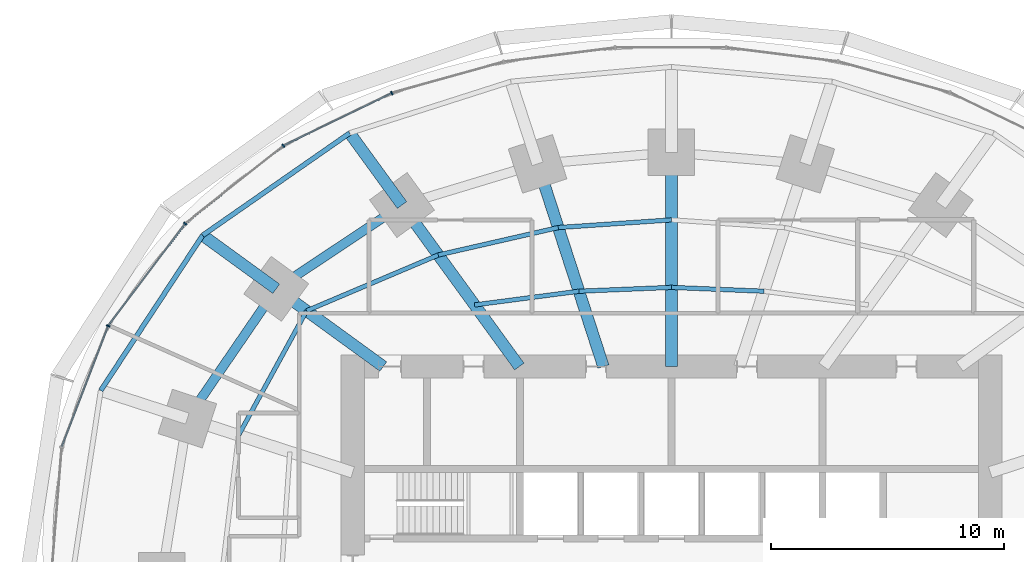
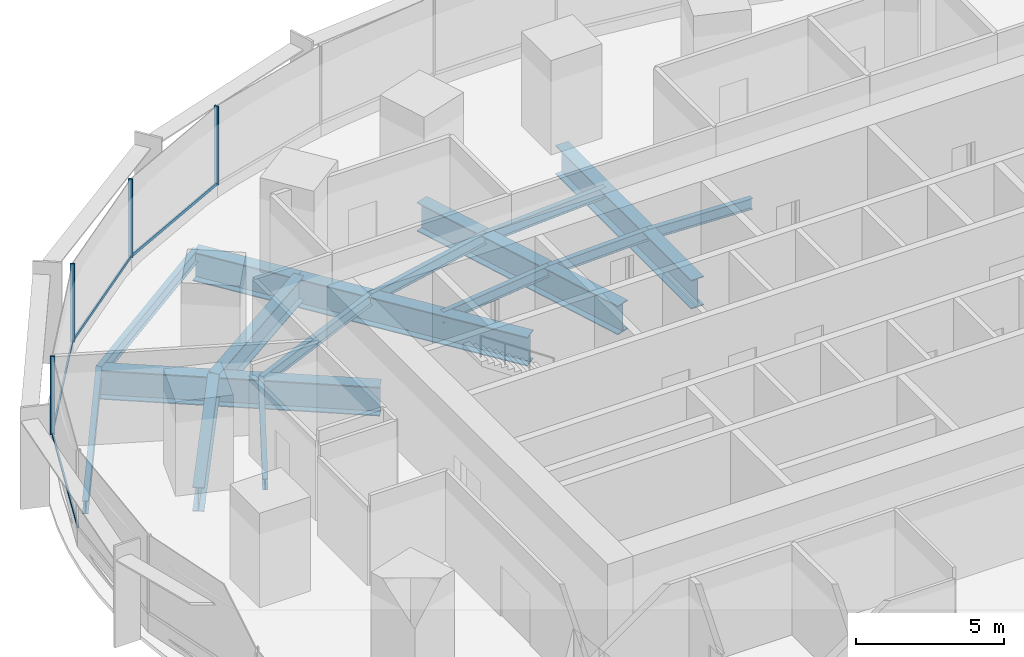
# One storey, part 7 of 15: 17 beams, 8 members, 1 element without a shape of its own.
"""IFC4 building model written with IfcOpenShell, lengths in metres."""

from ifc_helpers import new_model, si_unit, direction, frame, origin, origin_2d, place, context, subcontext, project, spatial, rectangle, i_section, extrude, material, material_profile, profile_set, type_object, element, aggregate, save


model = new_model("IFC4")

# Units and contexts
model_context = context("Model", 3, precision=1e-05, world=origin(), true_north=direction((0.0, 1.0)))
body_context = subcontext(model_context, "Body", "Model", "MODEL_VIEW")
ifc_project = project(units=[si_unit("LENGTHUNIT", "METRE"), si_unit("AREAUNIT", "SQUARE_METRE"), si_unit("VOLUMEUNIT", "CUBIC_METRE"), si_unit("PLANEANGLEUNIT", "RADIAN"), si_unit("MASSUNIT", "GRAM", prefix="KILO")], contexts=[model_context])

# Site, building, storey
site_placement = place(None, origin())
site = spatial("IfcSite", under=ifc_project, at=site_placement, CompositionType="ELEMENT")
building_placement = place(site_placement, origin())
building = spatial("IfcBuilding", under=site, at=building_placement, Name="Marramba Exchange Tower", CompositionType="ELEMENT")
storey_placement = place(building_placement, frame((0.0, 0.0, 32.199951171875)))
storey = spatial("IfcBuildingStorey", under=building, at=storey_placement, Name="L07", CompositionType="ELEMENT", Elevation=32.199951171875)

# Beams
ifc_material_1 = material(Name="Steel AS/NZS 3679.2 grade 300", Category="steel")
ifc_material_profile_1 = material_profile(ifc_material_1, i_section(OverallWidth=0.5, OverallDepth=1.199951171875, WebThickness=0.01611328125, FlangeThickness=0.0400390625, at=origin_2d()), Name="1200WB455")
ifc_profile_set_1 = profile_set([ifc_material_profile_1], Name="Steel AS/NZS 3679.2 grade 300")
beam_type_1 = type_object("IfcBeamType", Name="Cantilever girder 1200WB455", PredefinedType="BEAM", material=ifc_profile_set_1)
beam_1_placement = place(storey_placement, frame((-11.581298828125, 15.9404296875, -0.760009765625), z_axis=(-0.587795827483, 0.809009310944, 0.0), x_axis=(-0.809009310944, -0.587795827483, 0.0)))
element("IfcBeam", 1, at=beam_1_placement, inside=storey, type_object=beam_type_1, Name="Cantilever girder L07 TC08", PredefinedType="BEAM", context=body_context, shape_type="SweptSolid", body=[
    extrude(i_section(OverallWidth=0.5, OverallDepth=1.199951171875, WebThickness=0.01611328125, FlangeThickness=0.0400390625, at=origin_2d()), origin(), (0.0, 0.0, 1.0), 3.82421875),
])
beam_2_placement = place(storey_placement, frame((-16.98583984375, 12.3408203125, -0.760009765625), z_axis=(-0.808987260856, 0.587826174793, 0.0), x_axis=(-0.587826174793, -0.808987260856, 0.0)))
element("IfcBeam", 2, at=beam_2_placement, inside=storey, type_object=beam_type_1, Name="Cantilever girder L07 TC09", PredefinedType="BEAM", context=body_context, shape_type="SweptSolid", body=[
    extrude(i_section(OverallWidth=0.5, OverallDepth=1.199951171875, WebThickness=0.01611328125, FlangeThickness=0.0400390625, at=origin_2d()), origin(), (0.0, 0.0, 1.0), 3.90771484375),
])
ifc_material_2 = material(Name="Steel AS/NZS 3679.1 grade 300", Category="steel")
ifc_material_profile_2 = material_profile(ifc_material_2, i_section(OverallWidth=0.18994140625, OverallDepth=0.4541015625, WebThickness=0.008544921875, FlangeThickness=0.0126953125, FilletRadius=0.011474609375, at=origin_2d()), Name="460UB67.1")
ifc_profile_set_2 = profile_set([ifc_material_profile_2], Name="Steel AS/NZS 3679.1 grade 300")
beam_type_2 = type_object("IfcBeamType", Name="Floor joist 460UB67.1", PredefinedType="JOIST", material=ifc_profile_set_2)
for number, where, z_axis, x_axis, name in (
    (3, (3.975830078125, 12.236083984375, -0.386962890625), (-0.999137002892, 0.041536122257, 0.0), (-0.041536122257, -0.999137002892, 0.0), "Joist L07 bay 05 row 1"),
    (4, (0.0, 12.4013671875, -0.386962890625), (-0.999137002892, -0.041536122257, 0.0), (0.041536122257, -0.999137002892, 0.0), "Joist L07 bay 06 row 1"),
):
    element("IfcBeam", number, at=place(storey_placement, frame(where, z_axis=z_axis, x_axis=x_axis)), inside=storey, type_object=beam_type_2, Name=name, PredefinedType="JOIST", context=body_context, shape_type="SweptSolid", body=[
        extrude(i_section(OverallWidth=0.18994140625, OverallDepth=0.4541015625, WebThickness=0.008544921875, FlangeThickness=0.0126953125, FilletRadius=0.011474609375, at=origin_2d()), origin(), (0.0, 0.0, 1.0), 3.979248046875),
    ])
beam_3_placement = place(storey_placement, frame((0.0, 15.302734375, -0.386962890625), z_axis=(-0.997702652202, -0.067745241816, 0.0), x_axis=(0.067745241816, -0.997702652202, 0.0)))
element("IfcBeam", 5, at=beam_3_placement, inside=storey, type_object=beam_type_2, Name="Joist L07 bay 06 row 2", PredefinedType="JOIST", context=body_context, shape_type="SweptSolid", body=[
    extrude(i_section(OverallWidth=0.18994140625, OverallDepth=0.4541015625, WebThickness=0.008544921875, FlangeThickness=0.0126953125, FilletRadius=0.011474609375, at=origin_2d()), origin(), (0.0, 0.0, 1.0), 4.8759765625),
])
beam_4_placement = place(storey_placement, frame((-3.975830078125, 12.236083984375, -0.386962890625), z_axis=(-0.991480538255, -0.130254912618, 0.0), x_axis=(0.130254912618, -0.991480538255, 0.0)))
element("IfcBeam", 6, at=beam_4_placement, inside=storey, type_object=beam_type_2, Name="Joist L07 bay 07 row 1", PredefinedType="JOIST", context=body_context, shape_type="SweptSolid", body=[
    extrude(i_section(OverallWidth=0.18994140625, OverallDepth=0.4541015625, WebThickness=0.008544921875, FlangeThickness=0.0126953125, FilletRadius=0.011474609375, at=origin_2d()), origin(), (0.0, 0.0, 1.0), 4.524658203125),
])
beam_5_placement = place(storey_placement, frame((-4.86474609375, 14.972412109375, -0.386962890625), z_axis=(-0.974859652292, -0.222819788916, 0.0), x_axis=(0.222819788916, -0.974859652292, 0.0)))
element("IfcBeam", 7, at=beam_5_placement, inside=storey, type_object=beam_type_2, Name="Joist L07 bay 07 row 2", PredefinedType="JOIST", context=body_context, shape_type="SweptSolid", body=[
    extrude(i_section(OverallWidth=0.18994140625, OverallDepth=0.4541015625, WebThickness=0.008544921875, FlangeThickness=0.0126953125, FilletRadius=0.011474609375, at=origin_2d()), origin(), (0.0, 0.0, 1.0), 5.2900390625),
])
beam_6_placement = place(storey_placement, frame((-10.021728515625, 13.793701171875, -0.386962890625), z_axis=(-0.920674336375, -0.390331610738, 0.0), x_axis=(0.390331610738, -0.920674336375, 0.0)))
element("IfcBeam", 8, at=beam_6_placement, inside=storey, type_object=beam_type_2, Name="Joist L07 bay 08 row 2", PredefinedType="JOIST", context=body_context, shape_type="SweptSolid", body=[
    extrude(i_section(OverallWidth=0.18994140625, OverallDepth=0.4541015625, WebThickness=0.008544921875, FlangeThickness=0.0126953125, FilletRadius=0.011474609375, at=origin_2d()), origin(), (0.0, 0.0, 1.0), 6.1484375),
])
beam_7_placement = place(storey_placement, frame((-15.682373046875, 11.393798828125, -0.386962890625), z_axis=(-0.479584443791, -0.877495732909, 0.0), x_axis=(0.877495732909, -0.479584443791, 0.0)))
element("IfcBeam", 9, at=beam_7_placement, inside=storey, type_object=beam_type_2, Name="Joist L07 bay 09 row 2", PredefinedType="JOIST", context=body_context, shape_type="SweptSolid", body=[
    extrude(i_section(OverallWidth=0.18994140625, OverallDepth=0.4541015625, WebThickness=0.008544921875, FlangeThickness=0.0126953125, FilletRadius=0.011474609375, at=origin_2d()), origin(), (0.0, 0.0, 1.0), 6.094970703125),
])
ifc_material_profile_3 = material_profile(ifc_material_1, i_section(OverallWidth=0.5, OverallDepth=1.199951171875, WebThickness=0.01611328125, FlangeThickness=0.0400390625, at=origin_2d()), Name="1200WB455")
ifc_profile_set_3 = profile_set([ifc_material_profile_3], Name="Steel AS/NZS 3679.2 grade 300")
beam_type_3 = type_object("IfcBeamType", Name="Radial girder 1200WB455", PredefinedType="BEAM", material=ifc_profile_set_3)
beam_8_placement = place(storey_placement, frame((0.0, 9.0, -0.760009765625), z_axis=(0.0, 1.0, 0.0), x_axis=(-1.0, 0.0, 0.0)))
element("IfcBeam", 10, at=beam_8_placement, inside=storey, type_object=beam_type_3, Name="Radial girder L07 TC06", PredefinedType="BEAM", context=body_context, shape_type="SweptSolid", body=[
    extrude(i_section(OverallWidth=0.5, OverallDepth=1.199951171875, WebThickness=0.01611328125, FlangeThickness=0.0400390625, at=origin_2d()), origin(), (0.0, 0.0, 1.0), 9.2041015625),
])
beam_9_placement = place(storey_placement, frame((-2.92431640625, 9.0, -0.760009765625), z_axis=(-0.309019754162, 0.951055619582, 0.0), x_axis=(-0.951055619582, -0.309019754162, 0.0)))
element("IfcBeam", 11, at=beam_9_placement, inside=storey, type_object=beam_type_3, Name="Radial girder L07 TC07", PredefinedType="BEAM", context=body_context, shape_type="SweptSolid", body=[
    extrude(i_section(OverallWidth=0.5, OverallDepth=1.199951171875, WebThickness=0.01611328125, FlangeThickness=0.0400390625, at=origin_2d()), origin(), (0.0, 0.0, 1.0), 9.15673828125),
])
beam_10_placement = place(storey_placement, frame((-6.538818359375, 9.0, -0.760009765625), z_axis=(-0.587782439969, 0.80901903764, 0.0), x_axis=(-0.80901903764, -0.587782439969, 0.0)))
element("IfcBeam", 12, at=beam_10_placement, inside=storey, type_object=beam_type_3, Name="Radial girder L07 TC08", PredefinedType="BEAM", context=body_context, shape_type="SweptSolid", body=[
    extrude(i_section(OverallWidth=0.5, OverallDepth=1.199951171875, WebThickness=0.01611328125, FlangeThickness=0.0400390625, at=origin_2d()), origin(), (0.0, 0.0, 1.0), 8.578857421875),
])
beam_11_placement = place(storey_placement, frame((-12.387451171875, 9.0, -0.760009765625), z_axis=(-0.809025746925, 0.587773205252, 0.0), x_axis=(-0.587773205252, -0.809025746925, 0.0)))
element("IfcBeam", 13, at=beam_11_placement, inside=storey, type_object=beam_type_3, Name="Radial girder L07 TC09", PredefinedType="BEAM", context=body_context, shape_type="SweptSolid", body=[
    extrude(i_section(OverallWidth=0.5, OverallDepth=1.199951171875, WebThickness=0.01611328125, FlangeThickness=0.0400390625, at=origin_2d()), origin(), (0.0, 0.0, 1.0), 5.683837890625),
])
ifc_material_profile_4 = material_profile(ifc_material_1, i_section(OverallWidth=0.39990234375, OverallDepth=1.0, WebThickness=0.01611328125, FlangeThickness=0.031982421875, at=origin_2d()), Name="1000WB322")
ifc_profile_set_4 = profile_set([ifc_material_profile_4], Name="Steel AS/NZS 3679.2 grade 300")
beam_type_4 = type_object("IfcBeamType", Name="Ring beam 1000WB322", PredefinedType="SPANDREL", material=ifc_profile_set_4)
beam_12_placement = place(storey_placement, frame((-11.581298828125, 15.9404296875, -0.659912109375), z_axis=(-0.832293151443, -0.554335737673, 0.0), x_axis=(0.554335737673, -0.832293151443, 0.0)))
element("IfcBeam", 14, at=beam_12_placement, inside=storey, type_object=beam_type_4, Name="Ring beam L07 TC08-TC09", PredefinedType="SPANDREL", context=body_context, shape_type="SweptSolid", body=[
    extrude(i_section(OverallWidth=0.39990234375, OverallDepth=1.0, WebThickness=0.01611328125, FlangeThickness=0.031982421875, at=origin_2d()), origin(), (0.0, 0.0, 1.0), 6.49365234375),
])
beam_13_placement = place(storey_placement, frame((-16.98583984375, 12.3408203125, -0.659912109375), z_axis=(-0.56516002054, -0.824981303535, 0.0), x_axis=(0.824981303535, -0.56516002054, 0.0)))
element("IfcBeam", 15, at=beam_13_placement, inside=storey, type_object=beam_type_4, Name="Ring beam L07 TC09-TC10", PredefinedType="SPANDREL", context=body_context, shape_type="SweptSolid", body=[
    extrude(i_section(OverallWidth=0.39990234375, OverallDepth=1.0, WebThickness=0.01611328125, FlangeThickness=0.031982421875, at=origin_2d()), origin(), (0.0, 0.0, 1.0), 6.763671875),
])
ifc_material_profile_5 = material_profile(ifc_material_2, i_section(OverallWidth=0.208984375, OverallDepth=0.528076171875, WebThickness=0.009521484375, FlangeThickness=0.01318359375, FilletRadius=0.013916015625, at=origin_2d()), Name="530UB82.0")
ifc_profile_set_5 = profile_set([ifc_material_profile_5], Name="Steel AS/NZS 3679.1 grade 300")
beam_type_5 = type_object("IfcBeamType", Name="Slab edge beam 530UB82.0", PredefinedType="SPANDREL", material=ifc_profile_set_5)
beam_14_placement = place(storey_placement, frame((-13.8291015625, 19.0341796875, -0.424072265625), z_axis=(-0.820842487183, -0.571154629882, 0.0), x_axis=(0.571154629882, -0.820842487183, 0.0)))
element("IfcBeam", 16, at=beam_14_placement, inside=storey, type_object=beam_type_5, Name="Slab edge beam L07 TC08-TC09", PredefinedType="SPANDREL", context=body_context, shape_type="SweptSolid", body=[
    extrude(i_section(OverallWidth=0.208984375, OverallDepth=0.528076171875, WebThickness=0.009521484375, FlangeThickness=0.01318359375, FilletRadius=0.013916015625, at=origin_2d()), origin(), (0.0, 0.0, 1.0), 7.697021484375),
])
beam_15_placement = place(storey_placement, frame((-20.147216796875, 14.637939453125, -0.424072265625), z_axis=(-0.549123544095, -0.835741188001, 0.0), x_axis=(0.835741188001, -0.549123544095, 0.0)))
element("IfcBeam", 17, at=beam_15_placement, inside=storey, type_object=beam_type_5, Name="Slab edge beam L07 TC09-TC10", PredefinedType="SPANDREL", context=body_context, shape_type="SweptSolid", body=[
    extrude(i_section(OverallWidth=0.208984375, OverallDepth=0.528076171875, WebThickness=0.009521484375, FlangeThickness=0.01318359375, FilletRadius=0.013916015625, at=origin_2d()), origin(), (0.0, 0.0, 1.0), 7.978759765625),
])

# Curtain wall, members
ifc_material_3 = material(Name="Aluminium framing, bronze anodised", Category="aluminium")
curtain_wall_type = type_object("IfcCurtainWallType", Name="Trading floor ribbon curtain wall", PredefinedType="USERDEFINED", material=ifc_material_3)
curtain_wall_placement = place(storey_placement, origin())
curtain_wall = element("IfcCurtainWall", 18, at=curtain_wall_placement, inside=storey, type_object=curtain_wall_type, Name="Curtain wall CW3 L07 F11-F15", ObjectType="RIBBON CURTAIN WALL", PredefinedType="USERDEFINED")
ifc_material_4 = material(Name="Aluminium mullion, bronze anodised", Category="aluminium")
ifc_material_profile_6 = material_profile(ifc_material_4, rectangle(XDim=0.159912109375, YDim=0.06005859375, at=origin_2d()), Name="CW3 mullion 60x160")
ifc_profile_set_6 = profile_set([ifc_material_profile_6], Name="Aluminium mullion, bronze anodised")
member_type_1 = type_object("IfcMemberType", Name="Trading floor ribbon curtain wall mullion", PredefinedType="MULLION", material=ifc_profile_set_6)
member_1_placement = place(storey_placement, frame((-12.016357421875, 20.7529296875, 0.800048828125), z_axis=(0.0, 0.0, 1.0), x_axis=(0.43596538664, -0.899963433508, 0.0)))
member_1 = element("IfcMember", 19, at=member_1_placement, type_object=member_type_1, Name="CW3 mullion 1", PredefinedType="MULLION", context=body_context, shape_type="SweptSolid", body=[
    extrude(rectangle(XDim=0.159912109375, YDim=0.06005859375, at=origin_2d()), origin(), (0.0, 0.0, 1.0), 3.239990234375),
])
member_2_placement = place(storey_placement, frame((-16.683837890625, 18.484619140625, 0.800048828125), z_axis=(0.0, 0.0, 1.0), x_axis=(0.620649730166, -0.784087949432, 0.0)))
member_2 = element("IfcMember", 20, at=member_2_placement, type_object=member_type_1, Name="CW3 mullion 1", PredefinedType="MULLION", context=body_context, shape_type="SweptSolid", body=[
    extrude(rectangle(XDim=0.159912109375, YDim=0.06005859375, at=origin_2d()), origin(), (0.0, 0.0, 1.0), 3.239990234375),
])
member_3_placement = place(storey_placement, frame((-20.8935546875, 15.142822265625, 0.800048828125), z_axis=(0.0, 0.0, 1.0), x_axis=(0.797748922445, -0.602989765036, 0.0)))
member_3 = element("IfcMember", 21, at=member_3_placement, type_object=member_type_1, Name="CW3 mullion 1", PredefinedType="MULLION", context=body_context, shape_type="SweptSolid", body=[
    extrude(rectangle(XDim=0.159912109375, YDim=0.06005859375, at=origin_2d()), origin(), (0.0, 0.0, 1.0), 3.239990234375),
])
member_4_placement = place(storey_placement, frame((-24.207275390625, 10.7451171875, 0.800048828125), z_axis=(0.0, 0.0, 1.0), x_axis=(0.933135256626, -0.359525510698, 0.0)))
member_4 = element("IfcMember", 22, at=member_4_placement, type_object=member_type_1, Name="CW3 mullion 1", PredefinedType="MULLION", context=body_context, shape_type="SweptSolid", body=[
    extrude(rectangle(XDim=0.159912109375, YDim=0.06005859375, at=origin_2d()), origin(), (0.0, 0.0, 1.0), 3.239990234375),
])
ifc_material_5 = material(Name="Aluminium transom, bronze anodised", Category="aluminium")
ifc_material_profile_7 = material_profile(ifc_material_5, rectangle(XDim=0.06005859375, YDim=0.1201171875, at=origin_2d()), Name="CW3 transom 60x120")
ifc_profile_set_7 = profile_set([ifc_material_profile_7], Name="Aluminium transom, bronze anodised")
member_type_2 = type_object("IfcMemberType", Name="Trading floor ribbon curtain wall transom", PredefinedType="USERDEFINED", material=ifc_profile_set_7)
member_5_placement = place(storey_placement, frame((-12.043212890625, 20.739990234375, 0.830078125), z_axis=(-0.89995331781, -0.43598626786, 0.0), x_axis=(0.43598626786, -0.89995331781, 0.0)))
member_5 = element("IfcMember", 23, at=member_5_placement, type_object=member_type_2, Name="CW3 sill transom", ObjectType="TRANSOM", PredefinedType="USERDEFINED", context=body_context, shape_type="SweptSolid", body=[
    extrude(rectangle(XDim=0.06005859375, YDim=0.1201171875, at=origin_2d()), origin(), (0.0, 0.0, 1.0), 5.13037109375),
])
member_6_placement = place(storey_placement, frame((-16.70751953125, 18.466064453125, 0.830078125), z_axis=(-0.784075625018, -0.620665299701, 0.0), x_axis=(0.620665299701, -0.784075625018, 0.0)))
member_6 = element("IfcMember", 24, at=member_6_placement, type_object=member_type_2, Name="CW3 sill transom", ObjectType="TRANSOM", PredefinedType="USERDEFINED", context=body_context, shape_type="SweptSolid", body=[
    extrude(rectangle(XDim=0.06005859375, YDim=0.1201171875, at=origin_2d()), origin(), (0.0, 0.0, 1.0), 5.315673828125),
])
member_7_placement = place(storey_placement, frame((-20.91162109375, 15.118896484375, 0.830078125), z_axis=(-0.602985866158, -0.797751869452, 0.0), x_axis=(0.797751869452, -0.602985866158, 0.0)))
member_7 = element("IfcMember", 25, at=member_7_placement, type_object=member_type_2, Name="CW3 sill transom", ObjectType="TRANSOM", PredefinedType="USERDEFINED", context=body_context, shape_type="SweptSolid", body=[
    extrude(rectangle(XDim=0.06005859375, YDim=0.1201171875, at=origin_2d()), origin(), (0.0, 0.0, 1.0), 5.44775390625),
])
member_8_placement = place(storey_placement, frame((-24.218017578125, 10.717041015625, 0.830078125), z_axis=(-0.359533581349, -0.933132147063, 0.0), x_axis=(0.933132147063, -0.359533581349, 0.0)))
member_8 = element("IfcMember", 26, at=member_8_placement, type_object=member_type_2, Name="CW3 sill transom", ObjectType="TRANSOM", PredefinedType="USERDEFINED", context=body_context, shape_type="SweptSolid", body=[
    extrude(rectangle(XDim=0.06005859375, YDim=0.1201171875, at=origin_2d()), origin(), (0.0, 0.0, 1.0), 5.5166015625),
])
aggregate(curtain_wall, [member_1, member_5, member_2, member_6, member_3, member_7, member_4, member_8])

save(model, "model.ifc")
